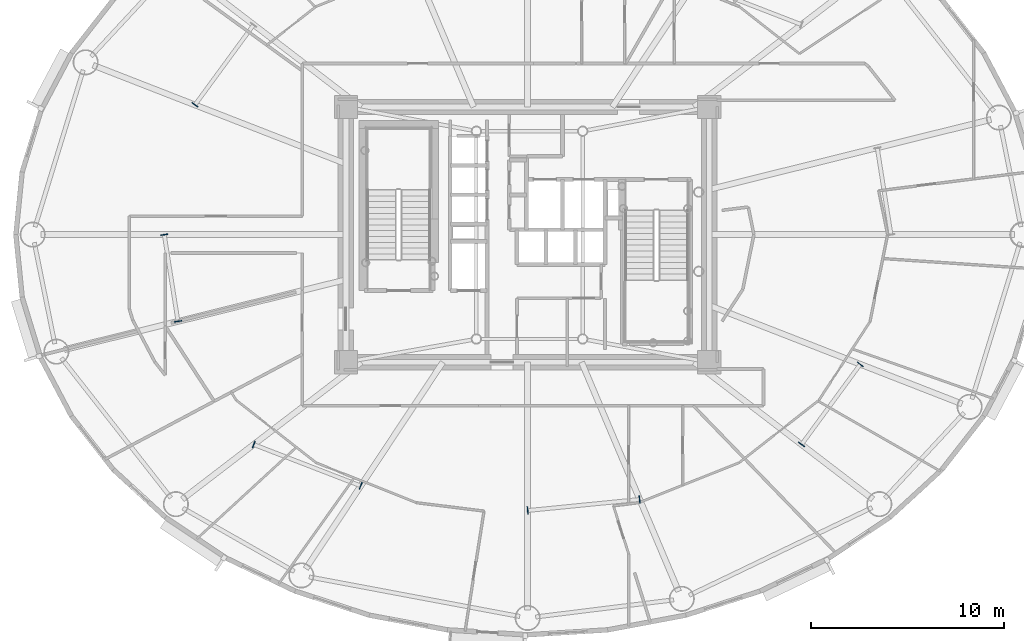
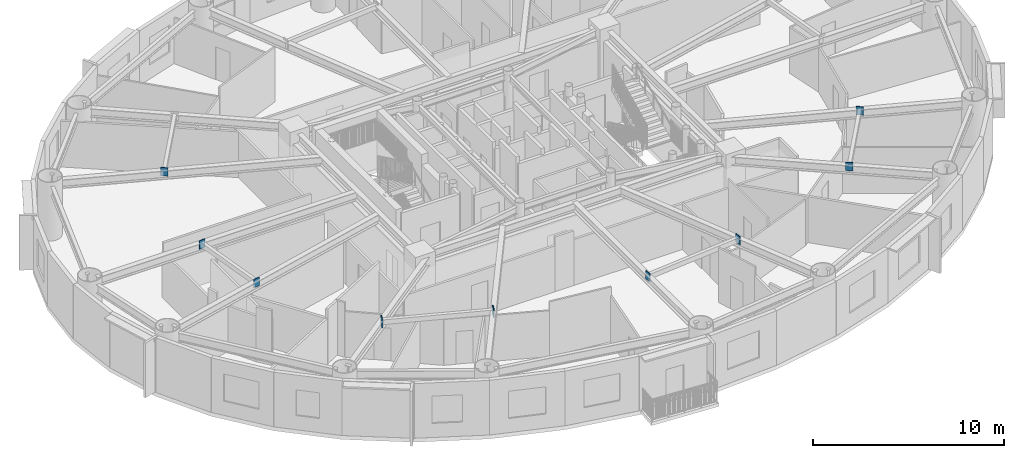
# One storey, part 6 of 19: 9 plates.
"""IFC4 building model written with IfcOpenShell, lengths in metres."""

from ifc_helpers import new_model, si_unit, direction, frame, origin, origin_2d, place, context, subcontext, project, spatial, rectangle, extrude, source, transform, mapped, material, layer, layer_set, type_object, element, save


model = new_model("IFC4")

# Units and contexts
model_context = context("Model", 3, precision=1e-05, world=origin(), true_north=direction((0.0, 1.0)))
body_context = subcontext(model_context, "Body", "Model", "MODEL_VIEW")
ifc_project = project(units=[si_unit("LENGTHUNIT", "METRE"), si_unit("AREAUNIT", "SQUARE_METRE"), si_unit("VOLUMEUNIT", "CUBIC_METRE"), si_unit("PLANEANGLEUNIT", "RADIAN"), si_unit("MASSUNIT", "GRAM", prefix="KILO")], contexts=[model_context])

# Site, building, storey
site_placement = place(None, origin())
site = spatial("IfcSite", under=ifc_project, at=site_placement, CompositionType="ELEMENT")
building_placement = place(site_placement, origin())
building = spatial("IfcBuilding", under=site, at=building_placement, Name="Linh Dai School and Residence Tower", CompositionType="ELEMENT")
storey_placement = place(building_placement, frame((0.0, 0.0, 193.64990234375)))
storey = spatial("IfcBuildingStorey", under=building, at=storey_placement, Name="L47", CompositionType="ELEMENT", Elevation=193.64990234375)

# Plates
ifc_material = material(Name="Structural Steel S355JR", Category="steel")
ifc_layer = layer(ifc_material, 0.0400390625)
ifc_layer_set = layer_set([ifc_layer], Name="Structural Steel S355JR")
plate_type = type_object("IfcPlateType", Name="PLT-GP1", PredefinedType="USERDEFINED", material=ifc_layer_set)
shared_shape = source(origin(), body_context, "Body", "SweptSolid", [
    extrude(rectangle(XDim=0.0400390625, YDim=0.3798828125, at=origin_2d()), origin(), (0.0, 0.0, 1.0), 0.5400390625),
])
for number, where, z_axis, x_axis, name in (
    (1, (18.794677734375, 33.71142578125, 3.080078125), (0.0, 0.0, 1.0), (-0.590797317165, -0.806820010926, 0.0), "L47 Secondary Beam End Plate 04B"),
    (2, (17.204833984375, 26.9951171875, 3.080078125), (0.0, 0.0, 1.0), (0.156309354655, -0.987708148011, 0.0), "L47 Secondary Beam End Plate 05A"),
    (3, (17.9140625, 22.513427734375, 3.080078125), (0.0, 0.0, 1.0), (0.156309354655, -0.987708148011, 0.0), "L47 Secondary Beam End Plate 05B"),
    (4, (21.8359375, 16.139892578125, 3.080078125), (0.0, 0.0, 1.0), (0.932822787929, -0.36033546359, 0.0), "L47 Secondary Beam End Plate 06A"),
    (5, (27.36572265625, 14.00390625, 3.080078125), (0.0, 0.0, 1.0), (0.932822787929, -0.36033546359, 0.0), "L47 Secondary Beam End Plate 06B"),
    (6, (36.0048828125, 12.72705078125, 3.080078125), (0.0, 0.0, 1.0), (0.995144649372, 0.098423202682, 0.0), "L47 Secondary Beam End Plate 07A"),
    (7, (41.79248046875, 13.299560546875, 3.080078125), (0.0, 0.0, 1.0), (0.995144649372, 0.098423202682, 0.0), "L47 Secondary Beam End Plate 07B"),
    (8, (50.171875, 16.145751953125, 3.080078125), (0.0, 0.0, 1.0), (0.590797317165, 0.806820010926, 0.0), "L47 Secondary Beam End Plate 08A"),
    (9, (53.205322265625, 20.28857421875, 3.080078125), (0.0, 0.0, 1.0), (0.590797317165, 0.806820010926, 0.0), "L47 Secondary Beam End Plate 08B"),
):
    element("IfcPlate", number, at=place(storey_placement, frame(where, z_axis=z_axis, x_axis=x_axis)), inside=storey, type_object=plate_type, Name=name, ObjectType="GUSSET PLATE", PredefinedType="USERDEFINED", context=body_context, shape_type="MappedRepresentation", body=[
        mapped(shared_shape, transform((0.0, 0.0, 0.0), x_axis=(1.0, 0.0, 0.0), y_axis=(0.0, 1.0, 0.0), z_axis=(0.0, 0.0, 1.0), scale=1.0)),
    ])

save(model, "model.ifc")
